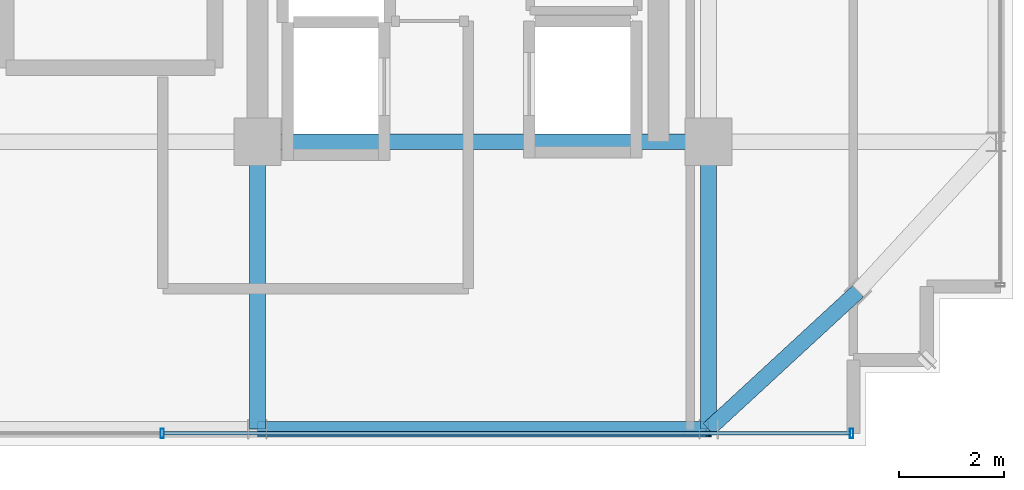
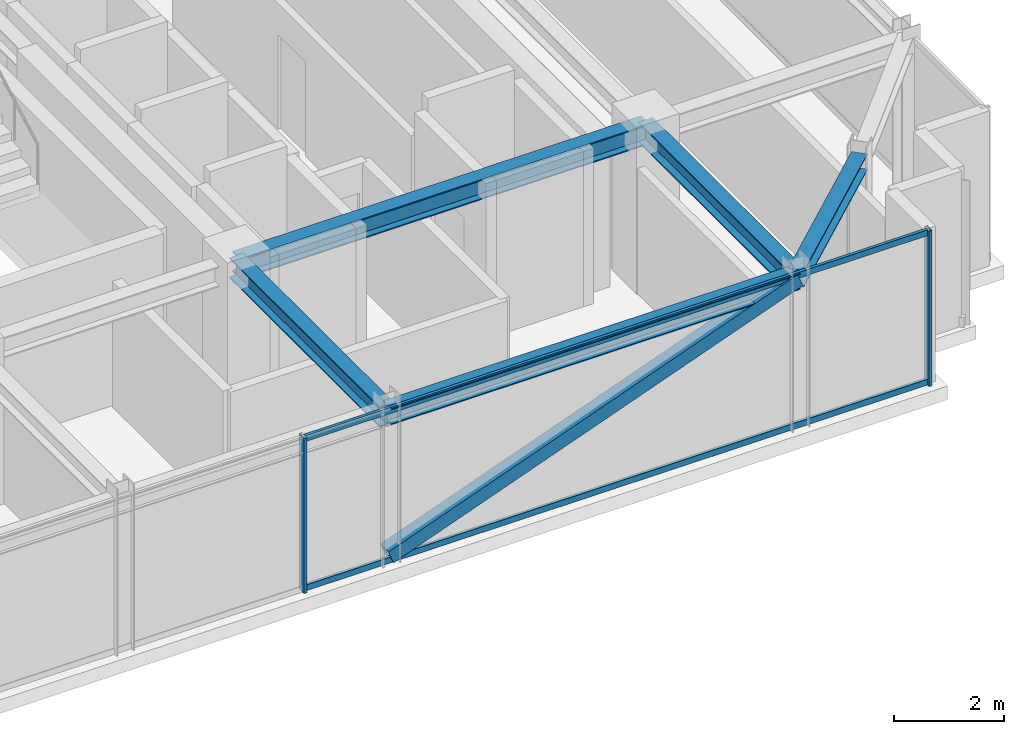
# One storey, part 12 of 36: 5 beams, 5 members, 1 element without a shape of its own.
"""IFC4 building model written with IfcOpenShell, lengths in metres."""

from ifc_helpers import new_model, si_unit, direction, frame, origin, origin_2d, place, context, subcontext, project, spatial, hollow_rectangle, i_section, extrude, source, transform, mapped, material, material_profile, profile_set, type_object, element, aggregate, save


model = new_model("IFC4")

# Units and contexts
model_context = context("Model", 3, precision=1e-05, world=origin(), true_north=direction((0.0, 1.0)))
body_context = subcontext(model_context, "Body", "Model", "MODEL_VIEW")
ifc_project = project(units=[si_unit("LENGTHUNIT", "METRE"), si_unit("AREAUNIT", "SQUARE_METRE"), si_unit("VOLUMEUNIT", "CUBIC_METRE"), si_unit("PLANEANGLEUNIT", "RADIAN"), si_unit("MASSUNIT", "GRAM", prefix="KILO")], contexts=[model_context])

# Site, building, storey
site_placement = place(None, origin())
site = spatial("IfcSite", under=ifc_project, at=site_placement, CompositionType="ELEMENT")
building_placement = place(site_placement, origin())
building = spatial("IfcBuilding", under=site, at=building_placement, Name="Nahalor Promenade Grand Hotel", CompositionType="ELEMENT")
storey_placement = place(building_placement, frame((0.0, 0.0, 273.800048828125)))
storey = spatial("IfcBuildingStorey", under=building, at=storey_placement, Name="L70", CompositionType="ELEMENT", Elevation=273.800048828125)

# Beams
ifc_material_1 = material(Name="Steel S355JR", Category="steel")
ifc_material_profile_1 = material_profile(ifc_material_1, i_section(OverallWidth=0.3, OverallDepth=0.45, WebThickness=0.014, FlangeThickness=0.026, at=origin_2d()), Name="HEB 450")
ifc_profile_set_1 = profile_set([ifc_material_profile_1], Name="Steel S355JR")
beam_type_1 = type_object("IfcBeamType", Name="Beam-Girder-HEB450", PredefinedType="BEAM", material=ifc_profile_set_1)
shared_shape_1 = source(origin(), body_context, "Body", "SweptSolid", [
    extrude(i_section(OverallWidth=0.3, OverallDepth=0.45, WebThickness=0.014, FlangeThickness=0.026, at=origin_2d()), origin(), (0.0, 0.0, 1.0), 8.60009765625),
])
beam_1_placement = place(storey_placement, frame((8.39990234375, -17.0, 3.224853515625), z_axis=(1.0, 0.0, 0.0), x_axis=(0.0, 1.0, 0.0)))
element("IfcBeam", 1, at=beam_1_placement, inside=storey, type_object=beam_type_1, Name="BM-L70-GX-0-5", PredefinedType="BEAM", context=body_context, shape_type="MappedRepresentation", body=[
    mapped(shared_shape_1, transform((0.0, 0.0, 0.0), scale=1.0)),
])
shared_shape_2 = source(origin(), body_context, "Body", "SweptSolid", [
    extrude(i_section(OverallWidth=0.3, OverallDepth=0.45, WebThickness=0.014, FlangeThickness=0.026, at=origin_2d()), origin(), (0.0, 0.0, 1.0), 5.47998046875),
])
for number, where, z_axis, x_axis, name in (
    (2, (8.39990234375, -22.47998046875, 3.224853515625), (0.0, 1.0, 0.0), (-1.0, 0.0, 0.0), "BM-L70-GY-4-0"),
    (3, (17.0, -22.47998046875, 3.224853515625), (0.0, 1.0, 0.0), (-1.0, 0.0, 0.0), "BM-L70-GY-5-0"),
):
    element("IfcBeam", number, at=place(storey_placement, frame(where, z_axis=z_axis, x_axis=x_axis)), inside=storey, type_object=beam_type_1, Name=name, PredefinedType="BEAM", context=body_context, shape_type="MappedRepresentation", body=[
        mapped(shared_shape_2, transform((0.0, 0.0, 0.0), scale=1.0)),
    ])
ifc_material_profile_2 = material_profile(ifc_material_1, i_section(OverallWidth=0.3, OverallDepth=0.36, WebThickness=0.0125, FlangeThickness=0.0225, at=origin_2d()), Name="HEB 360")
ifc_profile_set_2 = profile_set([ifc_material_profile_2], Name="Steel S355JR")
beam_type_2 = type_object("IfcBeamType", Name="Beam-Spandrel-HEB360", PredefinedType="SPANDREL", material=ifc_profile_set_2)
shared_shape_3 = source(origin(), body_context, "Body", "SweptSolid", [
    extrude(i_section(OverallWidth=0.3, OverallDepth=0.36, WebThickness=0.0125, FlangeThickness=0.0225, at=origin_2d()), origin(), (0.0, 0.0, 1.0), 8.60009765625),
])
beam_2_placement = place(storey_placement, frame((8.39990234375, -22.47998046875, 3.27001953125), z_axis=(1.0, 0.0, 0.0), x_axis=(0.0, 1.0, 0.0)))
element("IfcBeam", 4, at=beam_2_placement, inside=storey, type_object=beam_type_2, Name="BM-L70-SP-S-4", PredefinedType="SPANDREL", context=body_context, shape_type="MappedRepresentation", body=[
    mapped(shared_shape_3, transform((0.0, 0.0, 0.0), scale=1.0)),
])
shared_shape_4 = source(origin(), body_context, "Body", "SweptSolid", [
    extrude(i_section(OverallWidth=0.3, OverallDepth=0.36, WebThickness=0.0125, FlangeThickness=0.0225, at=origin_2d()), origin(), (0.0, 0.0, 1.0), 3.878173828125),
])
beam_3_placement = place(storey_placement, frame((17.0, -22.47998046875, 3.27001953125), z_axis=(0.73492893846, 0.678144125843, 0.0), x_axis=(-0.678144125843, 0.73492893846, 0.0)))
element("IfcBeam", 5, at=beam_3_placement, inside=storey, type_object=beam_type_2, Name="BM-L70-SPC-SE-1", PredefinedType="SPANDREL", context=body_context, shape_type="MappedRepresentation", body=[
    mapped(shared_shape_4, transform((0.0, 0.0, 0.0), scale=1.0)),
])

# Member
ifc_material_profile_3 = material_profile(ifc_material_1, hollow_rectangle(XDim=0.3, YDim=0.3, WallThickness=0.016, at=origin_2d()), Name="SHS 300x300x16")
ifc_profile_set_3 = profile_set([ifc_material_profile_3], Name="Steel S355JR")
member_type_1 = type_object("IfcMemberType", Name="Mem-CrownBrace-SHS300", PredefinedType="BRACE", material=ifc_profile_set_3)
shared_shape_5 = source(origin(), body_context, "Body", "SweptSolid", [
    extrude(hollow_rectangle(XDim=0.3, YDim=0.3, WallThickness=0.016, at=origin_2d()), origin(), (0.0, 0.0, 1.0), 9.158935546875),
])
member_1_placement = place(storey_placement, frame((8.39990234375, -22.47998046875, 0.14990234375), z_axis=(0.938989990654, 0.0, 0.343944468558), x_axis=(0.0, 1.0, 0.0)))
element("IfcMember", 6, at=member_1_placement, inside=storey, type_object=member_type_1, Name="EXO-L70-S-1", PredefinedType="BRACE", context=body_context, shape_type="MappedRepresentation", body=[
    mapped(shared_shape_5, transform((0.0, 0.0, 0.0), scale=1.0)),
])

# Curtain wall, members
ifc_material_2 = material(Name="Anodised Bronze Aluminium EN AW-6063 T6", Category="aluminium")
curtain_wall_type = type_object("IfcCurtainWallType", Name="CW2 Typical Hotel Flush Bronze Unitised Curtain Wall", PredefinedType="USERDEFINED", material=ifc_material_2)
curtain_wall_placement = place(storey_placement, origin())
curtain_wall = element("IfcCurtainWall", 7, at=curtain_wall_placement, inside=storey, type_object=curtain_wall_type, Name="L70 Curtain Wall CW-L70-S-1", ObjectType="UNITISED_CURTAIN_WALL", PredefinedType="USERDEFINED")
ifc_material_profile_4 = material_profile(ifc_material_2, hollow_rectangle(XDim=0.065, YDim=0.13, WallThickness=0.004, at=origin_2d()), Name="CWT 65x130x4")
ifc_profile_set_4 = profile_set([ifc_material_profile_4], Name="Anodised Bronze Aluminium EN AW-6063 T6")
member_type_2 = type_object("IfcMemberType", Name="CWT2 Typical Bronze Transom 65x130", PredefinedType="USERDEFINED", material=ifc_profile_set_4)
shared_shape_6 = source(origin(), body_context, "Body", "SweptSolid", [
    extrude(hollow_rectangle(XDim=0.065, YDim=0.13, WallThickness=0.004, at=origin_2d()), origin(), (0.0, 0.0, 1.0), 13.075927734375),
])
member_2_placement = place(storey_placement, frame((6.619140625, -22.56005859375, 0.06494140625), z_axis=(1.0, 0.0, 0.0), x_axis=(0.0, 1.0, 0.0)))
member_2 = element("IfcMember", 8, at=member_2_placement, type_object=member_type_2, Name="CW-L70-S-1 Transom 2-0", ObjectType="TRANSOM", PredefinedType="USERDEFINED", context=body_context, shape_type="MappedRepresentation", body=[
    mapped(shared_shape_6, transform((0.0, 0.0, 0.0), scale=1.0)),
])
member_3_placement = place(storey_placement, frame((6.619140625, -22.56005859375, 3.385009765625), z_axis=(1.0, 0.0, 0.0), x_axis=(0.0, 1.0, 0.0)))
member_3 = element("IfcMember", 9, at=member_3_placement, type_object=member_type_2, Name="CW-L70-S-1 Transom 2-1", ObjectType="TRANSOM", PredefinedType="USERDEFINED", context=body_context, shape_type="MappedRepresentation", body=[
    mapped(shared_shape_6, transform((0.0, 0.0, 0.0), scale=1.0)),
])
ifc_material_profile_5 = material_profile(ifc_material_2, hollow_rectangle(XDim=0.065, YDim=0.18, WallThickness=0.004, at=origin_2d()), Name="CWM 65x180x4")
ifc_profile_set_5 = profile_set([ifc_material_profile_5], Name="Anodised Bronze Aluminium EN AW-6063 T6")
member_type_3 = type_object("IfcMemberType", Name="CWM2 Typical Bronze Mullion 65x180", PredefinedType="MULLION", material=ifc_profile_set_5)
shared_shape_7 = source(origin(), body_context, "Body", "SweptSolid", [
    extrude(hollow_rectangle(XDim=0.065, YDim=0.18, WallThickness=0.004, at=origin_2d()), origin(), (0.0, 0.0, 1.0), 3.449951171875),
])
member_4_placement = place(storey_placement, frame((6.586669921875, -22.56005859375, 0.0), z_axis=(0.0, 0.0, 1.0), x_axis=(1.0, 0.0, 0.0)))
member_4 = element("IfcMember", 10, at=member_4_placement, type_object=member_type_3, Name="CW-L70-S-1 Mullion 2", PredefinedType="MULLION", context=body_context, shape_type="MappedRepresentation", body=[
    mapped(shared_shape_7, transform((0.0, 0.0, 0.0), scale=1.0)),
])
member_5_placement = place(storey_placement, frame((19.7275390625, -22.56005859375, 0.0), z_axis=(0.0, 0.0, 1.0), x_axis=(1.0, 0.0, 0.0)))
member_5 = element("IfcMember", 11, at=member_5_placement, type_object=member_type_3, Name="CW-L70-S-1 Mullion 3", PredefinedType="MULLION", context=body_context, shape_type="MappedRepresentation", body=[
    mapped(shared_shape_7, transform((0.0, 0.0, 0.0), scale=1.0)),
])
aggregate(curtain_wall, [member_4, member_5, member_2, member_3])

save(model, "model.ifc")
